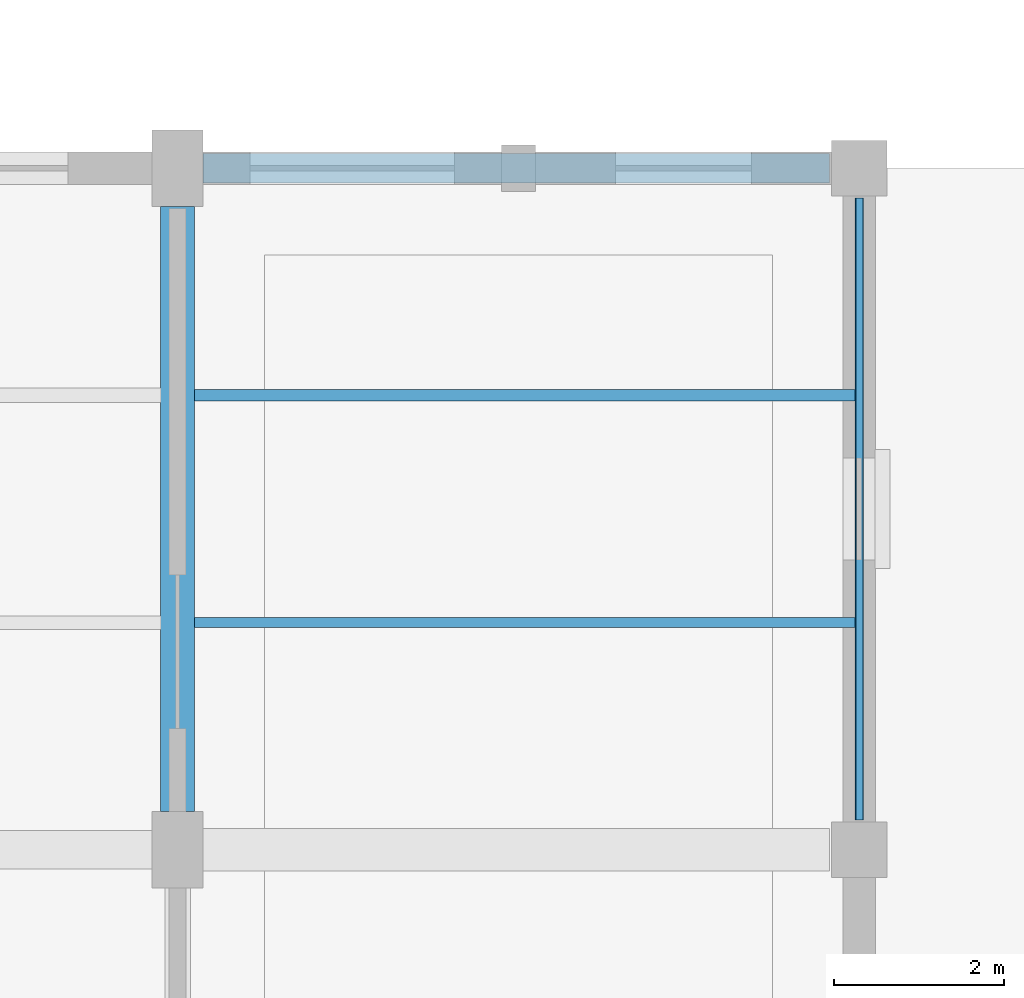
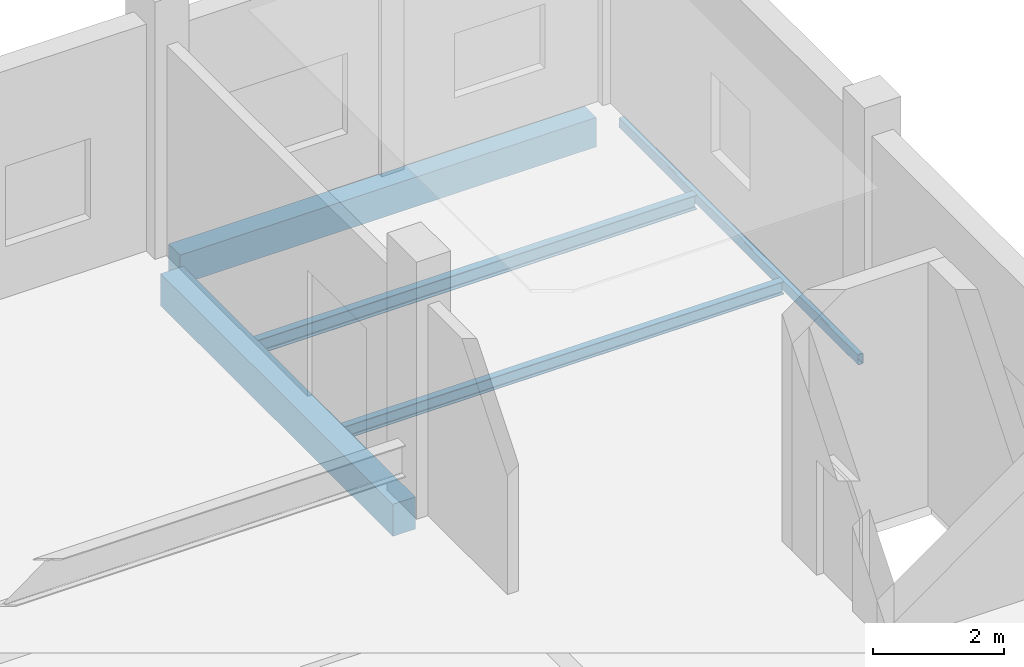
# One storey, part 79 of 156: 5 beams.
"""IFC4 building model written with IfcOpenShell, lengths in metres."""

import ifcopenshell
import ifcopenshell.guid

model = None  # the IFC model being written
_history = None  # IfcOwnerHistory: only IFC2X3 demands one
_inside = {}  # id of a spatial element -> (the spatial element, [elements in it])
_under = {}  # id of a project, library or spatial element -> (it, [spatial elements below it])
_declared = {}  # id of a project -> (the project, [libraries it declares])
_typed = {}  # id of a type object -> (the type object, [elements of that type])
_made_of = {}  # id of a material, layer set ... -> (it, [elements and type objects made of it])


def new_model(schema):
    """Start an empty IFC model of exactly this schema.

    Asked for "IFC4X3", IfcOpenShell would pick the latest addendum, in which some entities
    have other attributes; the version numbers below select the first issue.
    IFC2X3 requires an IfcOwnerHistory on every rooted entity: one is made here for all.
    """
    global model, _history
    if schema == "IFC4X3":
        model = ifcopenshell.file(schema_version=(4, 3, 0, 0))
    else:
        model = ifcopenshell.file(schema=schema)
    _inside.clear()
    _under.clear()
    _declared.clear()
    _typed.clear()
    _made_of.clear()
    _history = None
    if model.schema == "IFC2X3":
        org = make("IfcOrganization", Name="unknown")
        user = make(
            "IfcPersonAndOrganization",
            ThePerson=make("IfcPerson", FamilyName="unknown"),
            TheOrganization=org,
        )
        app = make(
            "IfcApplication",
            ApplicationDeveloper=org,
            Version="unknown",
            ApplicationFullName="unknown",
            ApplicationIdentifier="unknown",
        )
        _history = make(
            "IfcOwnerHistory",
            OwningUser=user,
            OwningApplication=app,
            ChangeAction="ADDED",
            CreationDate=0,
        )
    return model


def make(cls, **values):
    """One entity of the class cls with the attributes given. An attribute that is None is left unset."""
    return model.create_entity(
        cls, **{name: value for name, value in values.items() if value is not None}
    )


def rooted(cls, **values):
    """An entity with a GlobalId (a new one), such as an element, a storey or a relation."""
    return make(cls, GlobalId=ifcopenshell.guid.new(), OwnerHistory=_history, **values)


def si_unit(unit_type, name, prefix=None):
    """IfcSIUnit, for example si_unit("LENGTHUNIT", "METRE", prefix="MILLI")."""
    return make("IfcSIUnit", UnitType=unit_type, Prefix=prefix, Name=name)


def assignment(units):
    """IfcUnitAssignment: the units of a project."""
    return None if units is None else make("IfcUnitAssignment", Units=units)


def point(xyz):
    """IfcCartesianPoint."""
    return None if xyz is None else make("IfcCartesianPoint", Coordinates=xyz)


def direction(xyz):
    """IfcDirection."""
    return None if xyz is None else make("IfcDirection", DirectionRatios=xyz)


def frame(location, z_axis=None, x_axis=None):
    """IfcAxis2Placement3D, a coordinate frame: its origin and axes. An axis left out is left unset."""
    return make(
        "IfcAxis2Placement3D",
        Location=point(location),
        Axis=direction(z_axis),
        RefDirection=direction(x_axis),
    )


def frame_2d(location, x_axis=None):
    """IfcAxis2Placement2D, a coordinate frame in the plane: its origin and x axis."""
    return make(
        "IfcAxis2Placement2D", Location=point(location), RefDirection=direction(x_axis)
    )


def origin():
    """The frame at (0, 0, 0) with its axes left unset."""
    return frame((0.0, 0.0, 0.0))


def origin_2d():
    """The frame at (0, 0) in the plane with its x axis left unset."""
    return frame_2d((0.0, 0.0))


def place(relative_to, where):
    """IfcLocalPlacement: puts the frame where relative to a parent placement (None: the world)."""
    return make(
        "IfcLocalPlacement", PlacementRelTo=relative_to, RelativePlacement=where
    )


def context(
    kind, dimensions, precision=None, world=None, true_north=None, identifier=None
):
    """IfcGeometricRepresentationContext, for example the 3D "Model" context."""
    return make(
        "IfcGeometricRepresentationContext",
        ContextIdentifier=identifier,
        ContextType=kind,
        CoordinateSpaceDimension=dimensions,
        Precision=precision,
        WorldCoordinateSystem=world,
        TrueNorth=true_north,
    )


def subcontext(parent, identifier, kind, view, scale=None):
    """IfcGeometricRepresentationSubContext, for example "Body" below "Model"."""
    return make(
        "IfcGeometricRepresentationSubContext",
        ContextIdentifier=identifier,
        ContextType=kind,
        ParentContext=parent,
        TargetScale=scale,
        TargetView=view,
    )


def project(units=None, contexts=None):
    """IfcProject with its units and contexts."""
    return rooted(
        "IfcProject",
        Name="project",
        RepresentationContexts=contexts,
        UnitsInContext=assignment(units),
    )


def spatial(cls, under=None, at=None, **own):
    """A site, building, storey or space (cls), placed at a placement, below another one or the project."""
    s = rooted(cls, ObjectPlacement=at, **own)
    if under is not None:
        _under.setdefault(under.id(), (under, []))[1].append(s)
    return s


def profile(cls, at=None, kind="AREA", **sizes):
    """A parametric profile (cls). Its sizes go by their IFC names, for example OverallWidth=200.0."""
    return make(cls, ProfileType=kind, Position=at, **sizes)


def rectangle(**sizes):
    """IfcRectangleProfileDef."""
    return profile("IfcRectangleProfileDef", **sizes)


def hollow_rectangle(**sizes):
    """IfcRectangleHollowProfileDef."""
    return profile("IfcRectangleHollowProfileDef", **sizes)


def i_section(**sizes):
    """IfcIShapeProfileDef."""
    return profile("IfcIShapeProfileDef", **sizes)


def extrude(swept, where, along, depth):
    """IfcExtrudedAreaSolid: the profile swept, set in the frame where, extruded along a direction by depth."""
    return make(
        "IfcExtrudedAreaSolid",
        SweptArea=swept,
        Position=where,
        ExtrudedDirection=direction(along),
        Depth=depth,
    )


def shape(context_of_items, identifier, shape_type, items):
    """IfcShapeRepresentation: the items that make up one representation, for example the "Body"."""
    return make(
        "IfcShapeRepresentation",
        ContextOfItems=context_of_items,
        RepresentationIdentifier=identifier,
        RepresentationType=shape_type,
        Items=items,
    )


def material(Name=None, Category=None):
    """IfcMaterial."""
    return make("IfcMaterial", Name=Name, Category=Category)


def material_profile(
    of_material, cross_section, Name=None, Category=None, Priority=None
):
    """IfcMaterialProfile: a cross section and its material."""
    return make(
        "IfcMaterialProfile",
        Name=Name,
        Material=of_material,
        Profile=cross_section,
        Priority=Priority,
        Category=Category,
    )


def profile_set(profiles, Name=None, composite=None):
    """IfcMaterialProfileSet."""
    return make(
        "IfcMaterialProfileSet",
        Name=Name,
        MaterialProfiles=profiles,
        CompositeProfile=composite,
    )


def made_of(thing, what):
    """Note that an element or type object is made of a material, layer set ...; save() writes the relation."""
    if what is not None:
        _made_of.setdefault(what.id(), (what, []))[1].append(thing)
    return thing


def type_object(cls, material=None, **own):
    """A type object (cls), such as IfcWallType, which elements share."""
    return made_of(rooted(cls, **own), material)


def element(
    cls,
    number,
    at=None,
    inside=None,
    cuts=None,
    type_object=None,
    material=None,
    context=None,
    identifier="Body",
    shape_type=None,
    held_by="IfcProductDefinitionShape",
    body=None,
    shapes=None,
    **own,
):
    """One element of the class cls, such as IfcWall. Its Tag is "e" and its number.

    at: its placement. inside: the storey or other place that contains it. cuts: it is an
    opening in that element (IfcRelVoidsElement). A single representation is given by context,
    identifier, shape_type and body (its items); several are given by shapes. held_by: the class
    of the entity that holds the representations. save() writes the other relations.
    """
    e = rooted(cls, Tag="e%d" % number, ObjectPlacement=at, **own)
    if body is not None:
        shapes = [shape(context, identifier, shape_type, body)]
    if shapes is not None:
        e.Representation = make(held_by, Representations=shapes)
    if inside is not None:
        _inside.setdefault(inside.id(), (inside, []))[1].append(e)
    if cuts is not None:
        rooted(
            "IfcRelVoidsElement", RelatingBuildingElement=cuts, RelatedOpeningElement=e
        )
    if type_object is not None:
        _typed.setdefault(type_object.id(), (type_object, []))[1].append(e)
    return made_of(e, material)


def aggregate(whole, parts):
    """IfcRelAggregates: a whole, such as a stair, and the parts it consists of."""
    return rooted("IfcRelAggregates", RelatingObject=whole, RelatedObjects=parts)


def save(model, path):
    """Write the relations noted so far, then the file.

    IfcRelAggregates (storeys below a building ...), IfcRelContainedInSpatialStructure (elements
    in a storey), IfcRelDefinesByType, IfcRelAssociatesMaterial and IfcRelDeclares: one each for
    every whole, place, type object, material and project.
    """
    for whole, parts in _under.values():
        aggregate(whole, parts)
    for where, things in _inside.values():
        rooted(
            "IfcRelContainedInSpatialStructure",
            RelatedElements=things,
            RelatingStructure=where,
        )
    for kind, things in _typed.values():
        rooted("IfcRelDefinesByType", RelatedObjects=things, RelatingType=kind)
    for what, things in _made_of.values():
        rooted("IfcRelAssociatesMaterial", RelatedObjects=things, RelatingMaterial=what)
    for by, libraries in _declared.values():
        rooted("IfcRelDeclares", RelatingContext=by, RelatedDefinitions=libraries)
    model.write(path)


model = new_model("IFC4")

# Units and contexts
model_context = context("Model", 3, precision=1e-05, world=origin(), true_north=direction((0.0, 1.0)))
body_context = subcontext(model_context, "Body", "Model", "MODEL_VIEW")
ifc_project = project(units=[si_unit("LENGTHUNIT", "METRE"), si_unit("AREAUNIT", "SQUARE_METRE"), si_unit("VOLUMEUNIT", "CUBIC_METRE"), si_unit("PLANEANGLEUNIT", "RADIAN"), si_unit("MASSUNIT", "GRAM", prefix="KILO")], contexts=[model_context])

# Site, building, storey
site_placement = place(None, origin())
site = spatial("IfcSite", under=ifc_project, at=site_placement, CompositionType="ELEMENT")
building_placement = place(site_placement, origin())
building = spatial("IfcBuilding", under=site, at=building_placement, Name="Luwemba Playhouse", CompositionType="ELEMENT")
storey_placement = place(building_placement, origin())
storey = spatial("IfcBuildingStorey", under=building, at=storey_placement, Name="L00", CompositionType="ELEMENT", Elevation=0.0)

# Beams
ifc_material_1 = material(Name="Concrete C40/50", Category="concrete")
ifc_material_profile_1 = material_profile(ifc_material_1, rectangle(XDim=0.39990234375, YDim=0.60009765625, at=origin_2d()))
ifc_profile_set_1 = profile_set([ifc_material_profile_1], Name="Concrete C40/50")
beam_type_1 = type_object("IfcBeamType", Name="BM-RB01", PredefinedType="BEAM", material=ifc_profile_set_1)
beam_1_placement = place(storey_placement, frame((164.0, 52.449951171875, -0.60009765625), z_axis=(0.0, 1.0, 0.0), x_axis=(-1.0, 0.0, 0.0)))
element("IfcBeam", 1, at=beam_1_placement, inside=storey, type_object=beam_type_1, Name="L00 transverse girder 0108", PredefinedType="BEAM", context=body_context, shape_type="SweptSolid", body=[
    extrude(rectangle(XDim=0.39990234375, YDim=0.60009765625, at=origin_2d()), origin(), (0.0, 0.0, 1.0), 7.10009765625),
])
ifc_material_2 = material(Name="Steel S355", Category="steel")
ifc_material_profile_2 = material_profile(ifc_material_2, i_section(OverallWidth=0.1201171875, OverallDepth=0.239990234375, WebThickness=0.006103515625, FlangeThickness=0.009765625, FilletRadius=0.014892578125, at=origin_2d()))
ifc_profile_set_2 = profile_set([ifc_material_profile_2], Name="Steel S355")
beam_type_2 = type_object("IfcBeamType", Name="BM-SJ03", PredefinedType="JOIST", material=ifc_profile_set_2)
beam_2_placement = place(storey_placement, frame((164.196044921875, 54.666748046875, -0.419921875), z_axis=(1.0, 0.0, 0.0), x_axis=(0.0, 1.0, 0.0)))
element("IfcBeam", 2, at=beam_2_placement, inside=storey, type_object=beam_type_2, Name="L00 composite floor joist 0095", PredefinedType="JOIST", context=body_context, shape_type="SweptSolid", body=[
    extrude(i_section(OverallWidth=0.1201171875, OverallDepth=0.239990234375, WebThickness=0.006103515625, FlangeThickness=0.009765625, FilletRadius=0.014892578125, at=origin_2d()), origin(), (0.0, 0.0, 1.0), 7.758056640625),
])
ifc_material_profile_3 = material_profile(ifc_material_2, i_section(OverallWidth=0.135009765625, OverallDepth=0.27001953125, WebThickness=0.006591796875, FlangeThickness=0.01025390625, FilletRadius=0.014892578125, at=origin_2d()))
ifc_profile_set_3 = profile_set([ifc_material_profile_3], Name="Steel S355")
beam_type_3 = type_object("IfcBeamType", Name="BM-SJ04", PredefinedType="JOIST", material=ifc_profile_set_3)
beam_3_placement = place(storey_placement, frame((164.196044921875, 57.333251953125, -0.43505859375), z_axis=(1.0, 0.0, 0.0), x_axis=(0.0, 1.0, 0.0)))
element("IfcBeam", 3, at=beam_3_placement, inside=storey, type_object=beam_type_3, Name="L00 composite floor joist 0096", PredefinedType="JOIST", context=body_context, shape_type="SweptSolid", body=[
    extrude(i_section(OverallWidth=0.135009765625, OverallDepth=0.27001953125, WebThickness=0.006591796875, FlangeThickness=0.01025390625, FilletRadius=0.014892578125, at=origin_2d()), origin(), (0.0, 0.0, 1.0), 7.758056640625),
])
ifc_material_profile_4 = material_profile(ifc_material_1, rectangle(XDim=0.35009765625, YDim=0.550048828125, at=origin_2d()))
ifc_profile_set_4 = profile_set([ifc_material_profile_4], Name="Concrete C40/50")
beam_type_4 = type_object("IfcBeamType", Name="BM-SP2", PredefinedType="SPANDREL", material=ifc_profile_set_4)
beam_4_placement = place(storey_placement, frame((164.300048828125, 60.0, -0.574951171875), z_axis=(1.0, 0.0, 0.0), x_axis=(0.0, 1.0, 0.0)))
element("IfcBeam", 4, at=beam_4_placement, inside=storey, type_object=beam_type_4, Name="L00 grid girder 0093", PredefinedType="SPANDREL", context=body_context, shape_type="SweptSolid", body=[
    extrude(rectangle(XDim=0.35009765625, YDim=0.550048828125, at=origin_2d()), origin(), (0.0, 0.0, 1.0), 7.349853515625),
])
ifc_material_profile_5 = material_profile(ifc_material_2, hollow_rectangle(XDim=0.10009765625, YDim=0.199951171875, WallThickness=0.008056640625, InnerFilletRadius=0.011962890625, OuterFilletRadius=0.02001953125, at=origin_2d()))
ifc_profile_set_5 = profile_set([ifc_material_profile_5], Name="Steel S355")
beam_type_5 = type_object("IfcBeamType", Name="BM-SSP2", PredefinedType="SPANDREL", material=ifc_profile_set_5)
beam_5_placement = place(storey_placement, frame((172.0, 52.35009765625, -0.39990234375), z_axis=(0.0, 1.0, 0.0), x_axis=(-1.0, 0.0, 0.0)))
element("IfcBeam", 5, at=beam_5_placement, inside=storey, type_object=beam_type_5, Name="L00 transverse girder 0111", PredefinedType="SPANDREL", context=body_context, shape_type="SweptSolid", body=[
    extrude(hollow_rectangle(XDim=0.10009765625, YDim=0.199951171875, WallThickness=0.008056640625, InnerFilletRadius=0.011962890625, OuterFilletRadius=0.02001953125, at=origin_2d()), origin(), (0.0, 0.0, 1.0), 7.2998046875),
])

save(model, "model.ifc")
